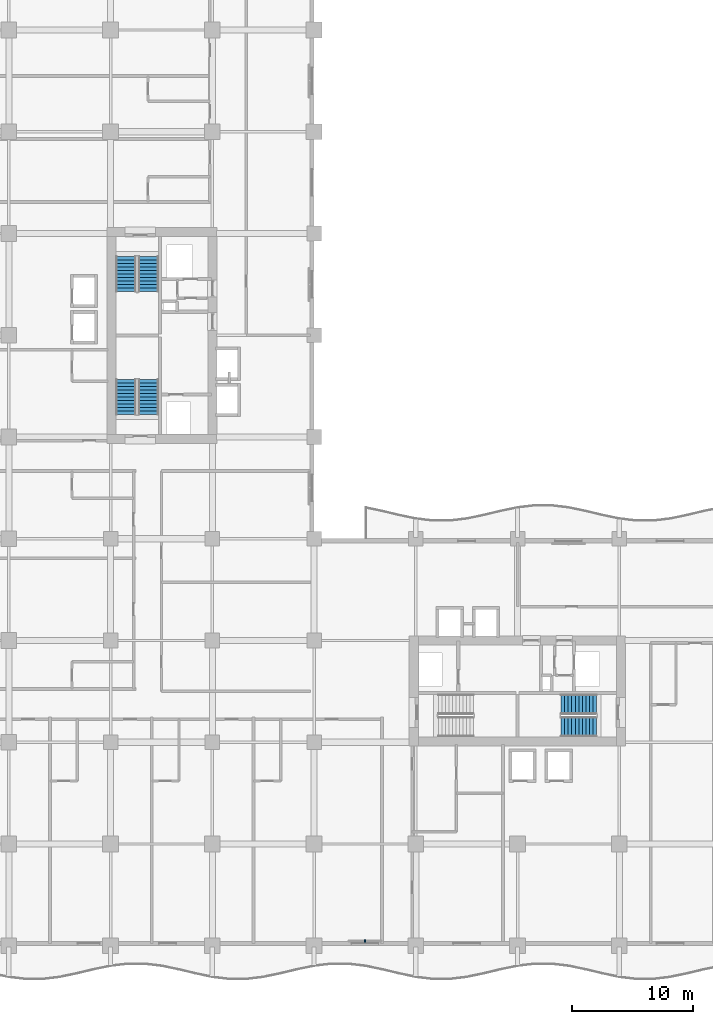
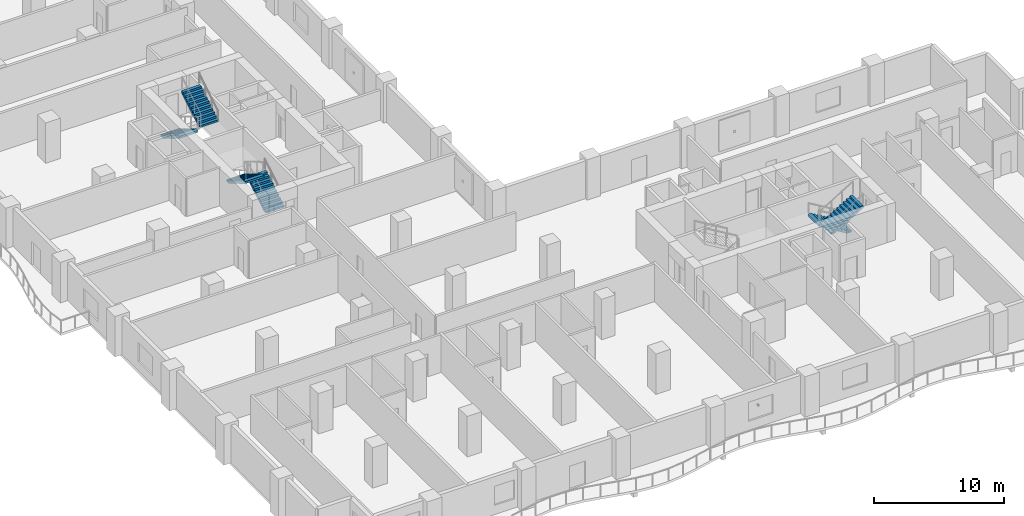
# One storey, part 12 of 18: 6 stair flights, 1 discrete accessory, 3 elements without a shape of their own.
"""IFC4 building model written with IfcOpenShell, lengths in metres."""

import ifcopenshell
import ifcopenshell.guid

model = None  # the IFC model being written
_history = None  # IfcOwnerHistory: only IFC2X3 demands one
_inside = {}  # id of a spatial element -> (the spatial element, [elements in it])
_under = {}  # id of a project, library or spatial element -> (it, [spatial elements below it])
_declared = {}  # id of a project -> (the project, [libraries it declares])
_typed = {}  # id of a type object -> (the type object, [elements of that type])
_made_of = {}  # id of a material, layer set ... -> (it, [elements and type objects made of it])


def new_model(schema):
    """Start an empty IFC model of exactly this schema.

    Asked for "IFC4X3", IfcOpenShell would pick the latest addendum, in which some entities
    have other attributes; the version numbers below select the first issue.
    IFC2X3 requires an IfcOwnerHistory on every rooted entity: one is made here for all.
    """
    global model, _history
    if schema == "IFC4X3":
        model = ifcopenshell.file(schema_version=(4, 3, 0, 0))
    else:
        model = ifcopenshell.file(schema=schema)
    _inside.clear()
    _under.clear()
    _declared.clear()
    _typed.clear()
    _made_of.clear()
    _history = None
    if model.schema == "IFC2X3":
        org = make("IfcOrganization", Name="unknown")
        user = make(
            "IfcPersonAndOrganization",
            ThePerson=make("IfcPerson", FamilyName="unknown"),
            TheOrganization=org,
        )
        app = make(
            "IfcApplication",
            ApplicationDeveloper=org,
            Version="unknown",
            ApplicationFullName="unknown",
            ApplicationIdentifier="unknown",
        )
        _history = make(
            "IfcOwnerHistory",
            OwningUser=user,
            OwningApplication=app,
            ChangeAction="ADDED",
            CreationDate=0,
        )
    return model


def make(cls, **values):
    """One entity of the class cls with the attributes given. An attribute that is None is left unset."""
    return model.create_entity(
        cls, **{name: value for name, value in values.items() if value is not None}
    )


def rooted(cls, **values):
    """An entity with a GlobalId (a new one), such as an element, a storey or a relation."""
    return make(cls, GlobalId=ifcopenshell.guid.new(), OwnerHistory=_history, **values)


def si_unit(unit_type, name, prefix=None):
    """IfcSIUnit, for example si_unit("LENGTHUNIT", "METRE", prefix="MILLI")."""
    return make("IfcSIUnit", UnitType=unit_type, Prefix=prefix, Name=name)


def assignment(units):
    """IfcUnitAssignment: the units of a project."""
    return None if units is None else make("IfcUnitAssignment", Units=units)


def point(xyz):
    """IfcCartesianPoint."""
    return None if xyz is None else make("IfcCartesianPoint", Coordinates=xyz)


def direction(xyz):
    """IfcDirection."""
    return None if xyz is None else make("IfcDirection", DirectionRatios=xyz)


def frame(location, z_axis=None, x_axis=None):
    """IfcAxis2Placement3D, a coordinate frame: its origin and axes. An axis left out is left unset."""
    return make(
        "IfcAxis2Placement3D",
        Location=point(location),
        Axis=direction(z_axis),
        RefDirection=direction(x_axis),
    )


def frame_2d(location, x_axis=None):
    """IfcAxis2Placement2D, a coordinate frame in the plane: its origin and x axis."""
    return make(
        "IfcAxis2Placement2D", Location=point(location), RefDirection=direction(x_axis)
    )


def origin():
    """The frame at (0, 0, 0) with its axes left unset."""
    return frame((0.0, 0.0, 0.0))


def origin_2d():
    """The frame at (0, 0) in the plane with its x axis left unset."""
    return frame_2d((0.0, 0.0))


def place(relative_to, where):
    """IfcLocalPlacement: puts the frame where relative to a parent placement (None: the world)."""
    return make(
        "IfcLocalPlacement", PlacementRelTo=relative_to, RelativePlacement=where
    )


def context(
    kind, dimensions, precision=None, world=None, true_north=None, identifier=None
):
    """IfcGeometricRepresentationContext, for example the 3D "Model" context."""
    return make(
        "IfcGeometricRepresentationContext",
        ContextIdentifier=identifier,
        ContextType=kind,
        CoordinateSpaceDimension=dimensions,
        Precision=precision,
        WorldCoordinateSystem=world,
        TrueNorth=true_north,
    )


def subcontext(parent, identifier, kind, view, scale=None):
    """IfcGeometricRepresentationSubContext, for example "Body" below "Model"."""
    return make(
        "IfcGeometricRepresentationSubContext",
        ContextIdentifier=identifier,
        ContextType=kind,
        ParentContext=parent,
        TargetScale=scale,
        TargetView=view,
    )


def project(units=None, contexts=None):
    """IfcProject with its units and contexts."""
    return rooted(
        "IfcProject",
        Name="project",
        RepresentationContexts=contexts,
        UnitsInContext=assignment(units),
    )


def spatial(cls, under=None, at=None, **own):
    """A site, building, storey or space (cls), placed at a placement, below another one or the project."""
    s = rooted(cls, ObjectPlacement=at, **own)
    if under is not None:
        _under.setdefault(under.id(), (under, []))[1].append(s)
    return s


def polyline(points):
    """IfcPolyline through the points."""
    return make("IfcPolyline", Points=[point(p) for p in points])


def profile(cls, at=None, kind="AREA", **sizes):
    """A parametric profile (cls). Its sizes go by their IFC names, for example OverallWidth=200.0."""
    return make(cls, ProfileType=kind, Position=at, **sizes)


def rectangle(**sizes):
    """IfcRectangleProfileDef."""
    return profile("IfcRectangleProfileDef", **sizes)


def outline(outer, holes=None, kind="AREA"):
    """IfcArbitraryClosedProfileDef: a profile drawn as a closed curve; with holes, ...WithVoids."""
    if holes is None:
        return make("IfcArbitraryClosedProfileDef", ProfileType=kind, OuterCurve=outer)
    return make(
        "IfcArbitraryProfileDefWithVoids",
        ProfileType=kind,
        OuterCurve=outer,
        InnerCurves=holes,
    )


def extrude(swept, where, along, depth):
    """IfcExtrudedAreaSolid: the profile swept, set in the frame where, extruded along a direction by depth."""
    return make(
        "IfcExtrudedAreaSolid",
        SweptArea=swept,
        Position=where,
        ExtrudedDirection=direction(along),
        Depth=depth,
    )


def shape(context_of_items, identifier, shape_type, items):
    """IfcShapeRepresentation: the items that make up one representation, for example the "Body"."""
    return make(
        "IfcShapeRepresentation",
        ContextOfItems=context_of_items,
        RepresentationIdentifier=identifier,
        RepresentationType=shape_type,
        Items=items,
    )


def material(Name=None, Category=None):
    """IfcMaterial."""
    return make("IfcMaterial", Name=Name, Category=Category)


def made_of(thing, what):
    """Note that an element or type object is made of a material, layer set ...; save() writes the relation."""
    if what is not None:
        _made_of.setdefault(what.id(), (what, []))[1].append(thing)
    return thing


def type_object(cls, material=None, **own):
    """A type object (cls), such as IfcWallType, which elements share."""
    return made_of(rooted(cls, **own), material)


def element(
    cls,
    number,
    at=None,
    inside=None,
    cuts=None,
    type_object=None,
    material=None,
    context=None,
    identifier="Body",
    shape_type=None,
    held_by="IfcProductDefinitionShape",
    body=None,
    shapes=None,
    **own,
):
    """One element of the class cls, such as IfcWall. Its Tag is "e" and its number.

    at: its placement. inside: the storey or other place that contains it. cuts: it is an
    opening in that element (IfcRelVoidsElement). A single representation is given by context,
    identifier, shape_type and body (its items); several are given by shapes. held_by: the class
    of the entity that holds the representations. save() writes the other relations.
    """
    e = rooted(cls, Tag="e%d" % number, ObjectPlacement=at, **own)
    if body is not None:
        shapes = [shape(context, identifier, shape_type, body)]
    if shapes is not None:
        e.Representation = make(held_by, Representations=shapes)
    if inside is not None:
        _inside.setdefault(inside.id(), (inside, []))[1].append(e)
    if cuts is not None:
        rooted(
            "IfcRelVoidsElement", RelatingBuildingElement=cuts, RelatedOpeningElement=e
        )
    if type_object is not None:
        _typed.setdefault(type_object.id(), (type_object, []))[1].append(e)
    return made_of(e, material)


def aggregate(whole, parts):
    """IfcRelAggregates: a whole, such as a stair, and the parts it consists of."""
    return rooted("IfcRelAggregates", RelatingObject=whole, RelatedObjects=parts)


def save(model, path):
    """Write the relations noted so far, then the file.

    IfcRelAggregates (storeys below a building ...), IfcRelContainedInSpatialStructure (elements
    in a storey), IfcRelDefinesByType, IfcRelAssociatesMaterial and IfcRelDeclares: one each for
    every whole, place, type object, material and project.
    """
    for whole, parts in _under.values():
        aggregate(whole, parts)
    for where, things in _inside.values():
        rooted(
            "IfcRelContainedInSpatialStructure",
            RelatedElements=things,
            RelatingStructure=where,
        )
    for kind, things in _typed.values():
        rooted("IfcRelDefinesByType", RelatedObjects=things, RelatingType=kind)
    for what, things in _made_of.values():
        rooted("IfcRelAssociatesMaterial", RelatedObjects=things, RelatingMaterial=what)
    for by, libraries in _declared.values():
        rooted("IfcRelDeclares", RelatingContext=by, RelatedDefinitions=libraries)
    model.write(path)


model = new_model("IFC4")

# Units and contexts
model_context = context("Model", 3, precision=1e-05, world=origin(), true_north=direction((0.0, 1.0)))
body_context = subcontext(model_context, "Body", "Model", "MODEL_VIEW")
ifc_project = project(units=[si_unit("LENGTHUNIT", "METRE"), si_unit("AREAUNIT", "SQUARE_METRE"), si_unit("VOLUMEUNIT", "CUBIC_METRE"), si_unit("PLANEANGLEUNIT", "RADIAN"), si_unit("MASSUNIT", "GRAM", prefix="KILO")], contexts=[model_context])

# Site, building, storey
site_placement = place(None, origin())
site = spatial("IfcSite", under=ifc_project, at=site_placement, CompositionType="ELEMENT")
building_placement = place(site_placement, origin())
building = spatial("IfcBuilding", under=site, at=building_placement, Name="Koriwani Terraces Tower", CompositionType="ELEMENT")
storey_placement = place(building_placement, frame((0.0, 0.0, 107.60009765625)))
storey = spatial("IfcBuildingStorey", under=building, at=storey_placement, Name="L25", CompositionType="ELEMENT", Elevation=107.60009765625)

# Stair, stair flights
ifc_material_1 = material(Name="Concrete C40/50", Category="concrete")
stair_type = type_object("IfcStairType", Name="STAIR_CORE_DOGLEG_1650", PredefinedType="TWO_STRAIGHT_RUN_STAIR", material=ifc_material_1)
stair_1_placement = place(storey_placement, origin())
stair_1 = element("IfcStair", 1, at=stair_1_placement, inside=storey, type_object=stair_type, Name="L25 West Core Exit Stair 1", PredefinedType="HALF_TURN_STAIR")
stair_flight_type = type_object("IfcStairFlightType", Name="STAIR_FLIGHT_RC_1650", PredefinedType="STRAIGHT", material=ifc_material_1)
stair_flight_1_placement = place(storey_placement, frame((19.925048828125, 43.85009765625, 0.0), z_axis=(0.0, 0.0, 1.0), x_axis=(0.0, 1.0, 0.0)))
stair_flight_1 = element("IfcStairFlight", 2, at=stair_flight_1_placement, type_object=stair_flight_type, Name="ST-W1 flight 1", NumberOfRisers=11, NumberOfTreads=10, PredefinedType="STRAIGHT", RiserHeight=0.172727273, TreadLength=0.29, context=body_context, shape_type="SweptSolid", body=[
    extrude(outline(polyline([(0.0, 0.0), (0.0, 0.172607421875), (0.2900390625, 0.172607421875), (0.2900390625, 0.345458984375), (0.580078125, 0.345458984375), (0.580078125, 0.51806640625), (0.8701171875, 0.51806640625), (0.8701171875, 0.69091796875), (1.159912109375, 0.69091796875), (1.159912109375, 0.863525390625), (1.449951171875, 0.863525390625), (1.449951171875, 1.036376953125), (1.739990234375, 1.036376953125), (1.739990234375, 1.208984375), (2.030029296875, 1.208984375), (2.030029296875, 1.3818359375), (2.320068359375, 1.3818359375), (2.320068359375, 1.554443359375), (2.610107421875, 1.554443359375), (2.610107421875, 1.727294921875), (2.89990234375, 1.727294921875), (2.89990234375, 1.89990234375), (2.89990234375, 1.517822265625), (0.3515625, 0.0), (0.0, 0.0)])), frame((0.0, 0.824951171875, 0.0), z_axis=(0.0, -1.0, 0.0), x_axis=(1.0, 0.0, 0.0)), (0.0, 0.0, 1.0), 1.64990234375),
])
stair_flight_2_placement = place(storey_placement, frame((18.074951171875, 46.75, 1.89990234375), z_axis=(0.0, 0.0, 1.0), x_axis=(0.0, -1.0, 0.0)))
stair_flight_2 = element("IfcStairFlight", 3, at=stair_flight_2_placement, type_object=stair_flight_type, Name="ST-W1 flight 2", NumberOfRisers=11, NumberOfTreads=10, PredefinedType="STRAIGHT", RiserHeight=0.172727273, TreadLength=0.29, context=body_context, shape_type="SweptSolid", body=[
    extrude(outline(polyline([(0.0, 0.0), (0.0, 0.172607421875), (0.2900390625, 0.172607421875), (0.2900390625, 0.345458984375), (0.580078125, 0.345458984375), (0.580078125, 0.51806640625), (0.8701171875, 0.51806640625), (0.8701171875, 0.69091796875), (1.159912109375, 0.69091796875), (1.159912109375, 0.863525390625), (1.449951171875, 0.863525390625), (1.449951171875, 1.036376953125), (1.739990234375, 1.036376953125), (1.739990234375, 1.208984375), (2.030029296875, 1.208984375), (2.030029296875, 1.3818359375), (2.320068359375, 1.3818359375), (2.320068359375, 1.554443359375), (2.610107421875, 1.554443359375), (2.610107421875, 1.727294921875), (2.89990234375, 1.727294921875), (2.89990234375, 1.89990234375), (2.89990234375, 1.517822265625), (0.3515625, 0.0), (0.0, 0.0)])), frame((0.0, 0.824951171875, 0.0), z_axis=(0.0, -1.0, 0.0), x_axis=(1.0, 0.0, 0.0)), (0.0, 0.0, 1.0), 1.64990234375),
])
aggregate(stair_1, [stair_flight_1, stair_flight_2])

stair_2_placement = place(storey_placement, origin())
stair_2 = element("IfcStair", 4, at=stair_2_placement, inside=storey, type_object=stair_type, Name="L25 West Core Exit Stair 2", PredefinedType="HALF_TURN_STAIR")
stair_flight_3_placement = place(storey_placement, frame((18.074951171875, 56.89990234375, 0.0), z_axis=(0.0, 0.0, 1.0), x_axis=(0.0, -1.0, 0.0)))
stair_flight_3 = element("IfcStairFlight", 5, at=stair_flight_3_placement, type_object=stair_flight_type, Name="ST-W2 flight 1", NumberOfRisers=11, NumberOfTreads=10, PredefinedType="STRAIGHT", RiserHeight=0.172727273, TreadLength=0.29, context=body_context, shape_type="SweptSolid", body=[
    extrude(outline(polyline([(0.0, 0.0), (0.0, 0.172607421875), (0.2900390625, 0.172607421875), (0.2900390625, 0.345458984375), (0.580078125, 0.345458984375), (0.580078125, 0.51806640625), (0.8701171875, 0.51806640625), (0.8701171875, 0.69091796875), (1.159912109375, 0.69091796875), (1.159912109375, 0.863525390625), (1.449951171875, 0.863525390625), (1.449951171875, 1.036376953125), (1.739990234375, 1.036376953125), (1.739990234375, 1.208984375), (2.030029296875, 1.208984375), (2.030029296875, 1.3818359375), (2.320068359375, 1.3818359375), (2.320068359375, 1.554443359375), (2.610107421875, 1.554443359375), (2.610107421875, 1.727294921875), (2.89990234375, 1.727294921875), (2.89990234375, 1.89990234375), (2.89990234375, 1.517822265625), (0.3515625, 0.0), (0.0, 0.0)])), frame((0.0, 0.824951171875, 0.0), z_axis=(0.0, -1.0, 0.0), x_axis=(1.0, 0.0, 0.0)), (0.0, 0.0, 1.0), 1.64990234375),
])
stair_flight_4_placement = place(storey_placement, frame((19.925048828125, 54.0, 1.89990234375), z_axis=(0.0, 0.0, 1.0), x_axis=(0.0, 1.0, 0.0)))
stair_flight_4 = element("IfcStairFlight", 6, at=stair_flight_4_placement, type_object=stair_flight_type, Name="ST-W2 flight 2", NumberOfRisers=11, NumberOfTreads=10, PredefinedType="STRAIGHT", RiserHeight=0.172727273, TreadLength=0.29, context=body_context, shape_type="SweptSolid", body=[
    extrude(outline(polyline([(0.0, 0.0), (0.0, 0.172607421875), (0.2900390625, 0.172607421875), (0.2900390625, 0.345458984375), (0.580078125, 0.345458984375), (0.580078125, 0.51806640625), (0.8701171875, 0.51806640625), (0.8701171875, 0.69091796875), (1.159912109375, 0.69091796875), (1.159912109375, 0.863525390625), (1.449951171875, 0.863525390625), (1.449951171875, 1.036376953125), (1.739990234375, 1.036376953125), (1.739990234375, 1.208984375), (2.030029296875, 1.208984375), (2.030029296875, 1.3818359375), (2.320068359375, 1.3818359375), (2.320068359375, 1.554443359375), (2.610107421875, 1.554443359375), (2.610107421875, 1.727294921875), (2.89990234375, 1.727294921875), (2.89990234375, 1.89990234375), (2.89990234375, 1.517822265625), (0.3515625, 0.0), (0.0, 0.0)])), frame((0.0, 0.824951171875, 0.0), z_axis=(0.0, -1.0, 0.0), x_axis=(1.0, 0.0, 0.0)), (0.0, 0.0, 1.0), 1.64990234375),
])
aggregate(stair_2, [stair_flight_3, stair_flight_4])

stair_3_placement = place(storey_placement, origin())
stair_3 = element("IfcStair", 7, at=stair_3_placement, inside=storey, type_object=stair_type, Name="L25 East Core Exit Stair 2", PredefinedType="HALF_TURN_STAIR")
stair_flight_5_placement = place(storey_placement, frame((56.89990234375, 19.925048828125, 0.0), z_axis=(0.0, 0.0, 1.0), x_axis=(-1.0, 0.0, 0.0)))
stair_flight_5 = element("IfcStairFlight", 8, at=stair_flight_5_placement, type_object=stair_flight_type, Name="ST-E2 flight 1", NumberOfRisers=11, NumberOfTreads=10, PredefinedType="STRAIGHT", RiserHeight=0.172727273, TreadLength=0.29, context=body_context, shape_type="SweptSolid", body=[
    extrude(outline(polyline([(0.0, 0.0), (0.0, 0.172607421875), (0.2900390625, 0.172607421875), (0.2900390625, 0.345458984375), (0.580078125, 0.345458984375), (0.580078125, 0.51806640625), (0.8701171875, 0.51806640625), (0.8701171875, 0.69091796875), (1.159912109375, 0.69091796875), (1.159912109375, 0.863525390625), (1.449951171875, 0.863525390625), (1.449951171875, 1.036376953125), (1.739990234375, 1.036376953125), (1.739990234375, 1.208984375), (2.030029296875, 1.208984375), (2.030029296875, 1.3818359375), (2.320068359375, 1.3818359375), (2.320068359375, 1.554443359375), (2.610107421875, 1.554443359375), (2.610107421875, 1.727294921875), (2.89990234375, 1.727294921875), (2.89990234375, 1.89990234375), (2.89990234375, 1.517822265625), (0.3515625, 0.0), (0.0, 0.0)])), frame((0.0, 0.824951171875, 0.0), z_axis=(0.0, -1.0, 0.0), x_axis=(1.0, 0.0, 0.0)), (0.0, 0.0, 1.0), 1.64990234375),
])
stair_flight_6_placement = place(storey_placement, frame((54.0, 18.074951171875, 1.89990234375), z_axis=(0.0, 0.0, 1.0), x_axis=(1.0, 0.0, 0.0)))
stair_flight_6 = element("IfcStairFlight", 9, at=stair_flight_6_placement, type_object=stair_flight_type, Name="ST-E2 flight 2", NumberOfRisers=11, NumberOfTreads=10, PredefinedType="STRAIGHT", RiserHeight=0.172727273, TreadLength=0.29, context=body_context, shape_type="SweptSolid", body=[
    extrude(outline(polyline([(0.0, 0.0), (0.0, 0.172607421875), (0.2900390625, 0.172607421875), (0.2900390625, 0.345458984375), (0.580078125, 0.345458984375), (0.580078125, 0.51806640625), (0.8701171875, 0.51806640625), (0.8701171875, 0.69091796875), (1.159912109375, 0.69091796875), (1.159912109375, 0.863525390625), (1.449951171875, 0.863525390625), (1.449951171875, 1.036376953125), (1.739990234375, 1.036376953125), (1.739990234375, 1.208984375), (2.030029296875, 1.208984375), (2.030029296875, 1.3818359375), (2.320068359375, 1.3818359375), (2.320068359375, 1.554443359375), (2.610107421875, 1.554443359375), (2.610107421875, 1.727294921875), (2.89990234375, 1.727294921875), (2.89990234375, 1.89990234375), (2.89990234375, 1.517822265625), (0.3515625, 0.0), (0.0, 0.0)])), frame((0.0, 0.824951171875, 0.0), z_axis=(0.0, -1.0, 0.0), x_axis=(1.0, 0.0, 0.0)), (0.0, 0.0, 1.0), 1.64990234375),
])
aggregate(stair_3, [stair_flight_5, stair_flight_6])

# Discrete accessory
ifc_material_2 = material(Name="Steel ASTM A572 Grade 50", Category="steel")
discrete_accessory_type = type_object("IfcDiscreteAccessoryType", Name="BAGUETTE_STANDOFF_BRACKET", PredefinedType="BRACKET", material=ifc_material_2)
discrete_accessory_placement = place(storey_placement, frame((37.800048828125, 0.389892578125, 1.68505859375), z_axis=(0.0, 0.0, 1.0), x_axis=(-1.0, 0.0, 0.0)))
element("IfcDiscreteAccessory", 10, at=discrete_accessory_placement, inside=storey, type_object=discrete_accessory_type, Name="L25 Terracotta Baguette Bracket (S-12)", PredefinedType="BRACKET", context=body_context, shape_type="SweptSolid", body=[
    extrude(rectangle(XDim=0.159912109375, YDim=0.199951171875, at=origin_2d()), origin(), (0.0, 0.0, 1.0), 0.179931640625),
])

save(model, "model.ifc")
